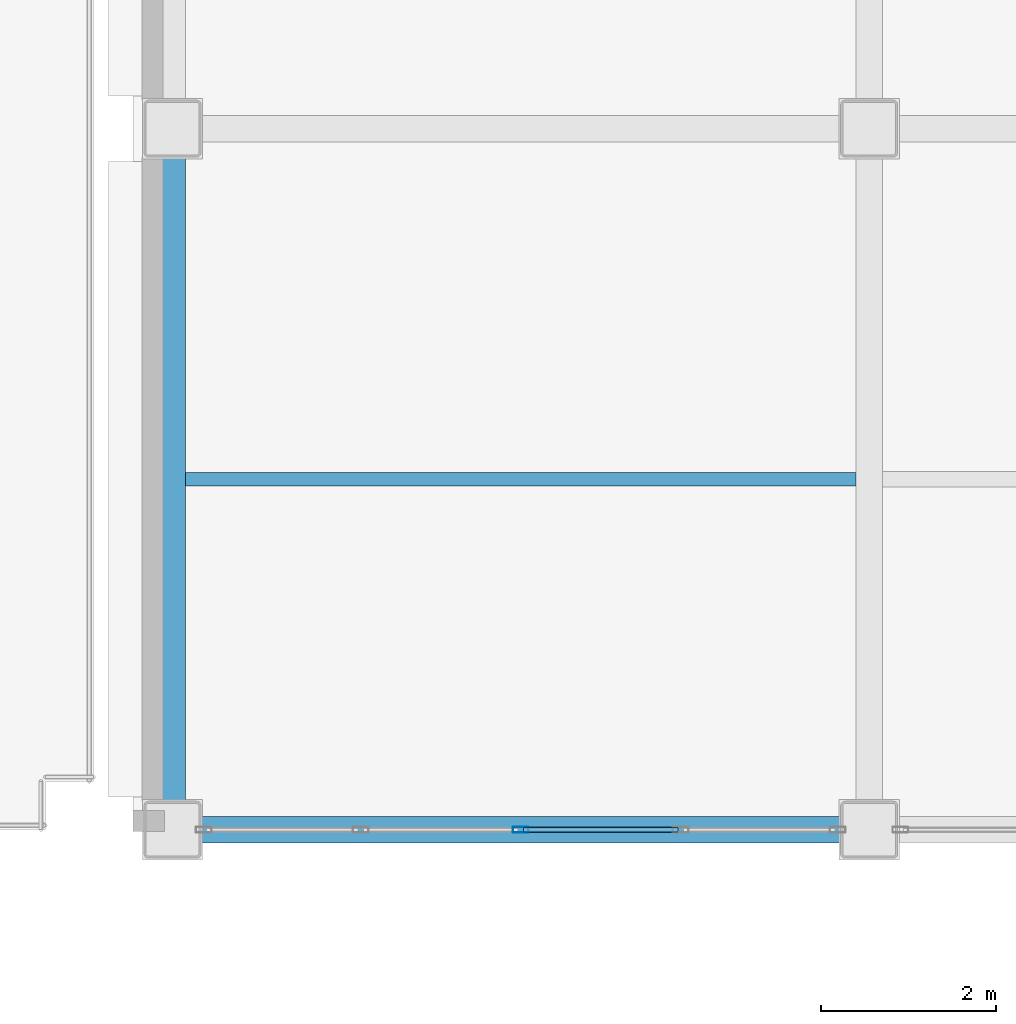
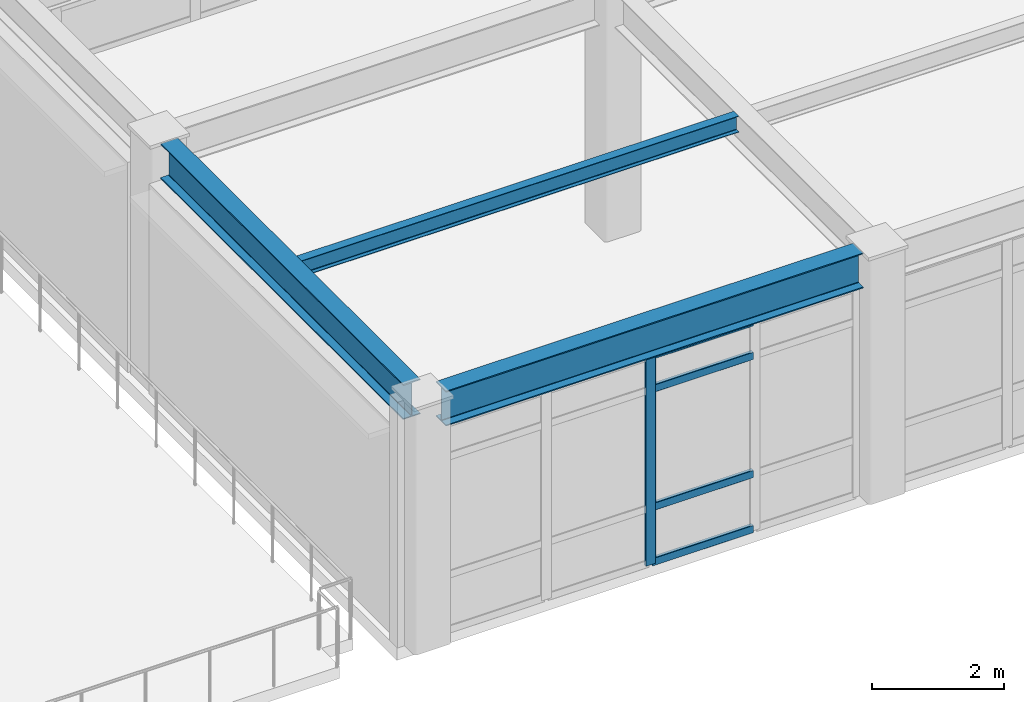
# One storey, part 26 of 93: 5 members, 3 beams, 1 element without a shape of its own.
"""IFC4 building model written with IfcOpenShell, lengths in metres."""

import ifcopenshell
import ifcopenshell.guid

model = None  # the IFC model being written
_history = None  # IfcOwnerHistory: only IFC2X3 demands one
_inside = {}  # id of a spatial element -> (the spatial element, [elements in it])
_under = {}  # id of a project, library or spatial element -> (it, [spatial elements below it])
_declared = {}  # id of a project -> (the project, [libraries it declares])
_typed = {}  # id of a type object -> (the type object, [elements of that type])
_made_of = {}  # id of a material, layer set ... -> (it, [elements and type objects made of it])


def new_model(schema):
    """Start an empty IFC model of exactly this schema.

    Asked for "IFC4X3", IfcOpenShell would pick the latest addendum, in which some entities
    have other attributes; the version numbers below select the first issue.
    IFC2X3 requires an IfcOwnerHistory on every rooted entity: one is made here for all.
    """
    global model, _history
    if schema == "IFC4X3":
        model = ifcopenshell.file(schema_version=(4, 3, 0, 0))
    else:
        model = ifcopenshell.file(schema=schema)
    _inside.clear()
    _under.clear()
    _declared.clear()
    _typed.clear()
    _made_of.clear()
    _history = None
    if model.schema == "IFC2X3":
        org = make("IfcOrganization", Name="unknown")
        user = make(
            "IfcPersonAndOrganization",
            ThePerson=make("IfcPerson", FamilyName="unknown"),
            TheOrganization=org,
        )
        app = make(
            "IfcApplication",
            ApplicationDeveloper=org,
            Version="unknown",
            ApplicationFullName="unknown",
            ApplicationIdentifier="unknown",
        )
        _history = make(
            "IfcOwnerHistory",
            OwningUser=user,
            OwningApplication=app,
            ChangeAction="ADDED",
            CreationDate=0,
        )
    return model


def make(cls, **values):
    """One entity of the class cls with the attributes given. An attribute that is None is left unset."""
    return model.create_entity(
        cls, **{name: value for name, value in values.items() if value is not None}
    )


def rooted(cls, **values):
    """An entity with a GlobalId (a new one), such as an element, a storey or a relation."""
    return make(cls, GlobalId=ifcopenshell.guid.new(), OwnerHistory=_history, **values)


def si_unit(unit_type, name, prefix=None):
    """IfcSIUnit, for example si_unit("LENGTHUNIT", "METRE", prefix="MILLI")."""
    return make("IfcSIUnit", UnitType=unit_type, Prefix=prefix, Name=name)


def assignment(units):
    """IfcUnitAssignment: the units of a project."""
    return None if units is None else make("IfcUnitAssignment", Units=units)


def point(xyz):
    """IfcCartesianPoint."""
    return None if xyz is None else make("IfcCartesianPoint", Coordinates=xyz)


def direction(xyz):
    """IfcDirection."""
    return None if xyz is None else make("IfcDirection", DirectionRatios=xyz)


def frame(location, z_axis=None, x_axis=None):
    """IfcAxis2Placement3D, a coordinate frame: its origin and axes. An axis left out is left unset."""
    return make(
        "IfcAxis2Placement3D",
        Location=point(location),
        Axis=direction(z_axis),
        RefDirection=direction(x_axis),
    )


def frame_2d(location, x_axis=None):
    """IfcAxis2Placement2D, a coordinate frame in the plane: its origin and x axis."""
    return make(
        "IfcAxis2Placement2D", Location=point(location), RefDirection=direction(x_axis)
    )


def origin():
    """The frame at (0, 0, 0) with its axes left unset."""
    return frame((0.0, 0.0, 0.0))


def origin_2d():
    """The frame at (0, 0) in the plane with its x axis left unset."""
    return frame_2d((0.0, 0.0))


def place(relative_to, where):
    """IfcLocalPlacement: puts the frame where relative to a parent placement (None: the world)."""
    return make(
        "IfcLocalPlacement", PlacementRelTo=relative_to, RelativePlacement=where
    )


def context(
    kind, dimensions, precision=None, world=None, true_north=None, identifier=None
):
    """IfcGeometricRepresentationContext, for example the 3D "Model" context."""
    return make(
        "IfcGeometricRepresentationContext",
        ContextIdentifier=identifier,
        ContextType=kind,
        CoordinateSpaceDimension=dimensions,
        Precision=precision,
        WorldCoordinateSystem=world,
        TrueNorth=true_north,
    )


def subcontext(parent, identifier, kind, view, scale=None):
    """IfcGeometricRepresentationSubContext, for example "Body" below "Model"."""
    return make(
        "IfcGeometricRepresentationSubContext",
        ContextIdentifier=identifier,
        ContextType=kind,
        ParentContext=parent,
        TargetScale=scale,
        TargetView=view,
    )


def project(units=None, contexts=None):
    """IfcProject with its units and contexts."""
    return rooted(
        "IfcProject",
        Name="project",
        RepresentationContexts=contexts,
        UnitsInContext=assignment(units),
    )


def spatial(cls, under=None, at=None, **own):
    """A site, building, storey or space (cls), placed at a placement, below another one or the project."""
    s = rooted(cls, ObjectPlacement=at, **own)
    if under is not None:
        _under.setdefault(under.id(), (under, []))[1].append(s)
    return s


def profile(cls, at=None, kind="AREA", **sizes):
    """A parametric profile (cls). Its sizes go by their IFC names, for example OverallWidth=200.0."""
    return make(cls, ProfileType=kind, Position=at, **sizes)


def hollow_rectangle(**sizes):
    """IfcRectangleHollowProfileDef."""
    return profile("IfcRectangleHollowProfileDef", **sizes)


def i_section(**sizes):
    """IfcIShapeProfileDef."""
    return profile("IfcIShapeProfileDef", **sizes)


def extrude(swept, where, along, depth):
    """IfcExtrudedAreaSolid: the profile swept, set in the frame where, extruded along a direction by depth."""
    return make(
        "IfcExtrudedAreaSolid",
        SweptArea=swept,
        Position=where,
        ExtrudedDirection=direction(along),
        Depth=depth,
    )


def shape(context_of_items, identifier, shape_type, items):
    """IfcShapeRepresentation: the items that make up one representation, for example the "Body"."""
    return make(
        "IfcShapeRepresentation",
        ContextOfItems=context_of_items,
        RepresentationIdentifier=identifier,
        RepresentationType=shape_type,
        Items=items,
    )


def material(Name=None, Category=None):
    """IfcMaterial."""
    return make("IfcMaterial", Name=Name, Category=Category)


def layer(
    of_material, thickness, ventilated=None, Name=None, Category=None, Priority=None
):
    """IfcMaterialLayer: one layer of a wall or slab, of a material (None: an air gap)."""
    return make(
        "IfcMaterialLayer",
        Material=of_material,
        LayerThickness=thickness,
        IsVentilated=ventilated,
        Name=Name,
        Category=Category,
        Priority=Priority,
    )


def layer_set(layers, Name=None):
    """IfcMaterialLayerSet."""
    return make("IfcMaterialLayerSet", MaterialLayers=layers, LayerSetName=Name)


def material_profile(
    of_material, cross_section, Name=None, Category=None, Priority=None
):
    """IfcMaterialProfile: a cross section and its material."""
    return make(
        "IfcMaterialProfile",
        Name=Name,
        Material=of_material,
        Profile=cross_section,
        Priority=Priority,
        Category=Category,
    )


def profile_set(profiles, Name=None, composite=None):
    """IfcMaterialProfileSet."""
    return make(
        "IfcMaterialProfileSet",
        Name=Name,
        MaterialProfiles=profiles,
        CompositeProfile=composite,
    )


def made_of(thing, what):
    """Note that an element or type object is made of a material, layer set ...; save() writes the relation."""
    if what is not None:
        _made_of.setdefault(what.id(), (what, []))[1].append(thing)
    return thing


def type_object(cls, material=None, **own):
    """A type object (cls), such as IfcWallType, which elements share."""
    return made_of(rooted(cls, **own), material)


def element(
    cls,
    number,
    at=None,
    inside=None,
    cuts=None,
    type_object=None,
    material=None,
    context=None,
    identifier="Body",
    shape_type=None,
    held_by="IfcProductDefinitionShape",
    body=None,
    shapes=None,
    **own,
):
    """One element of the class cls, such as IfcWall. Its Tag is "e" and its number.

    at: its placement. inside: the storey or other place that contains it. cuts: it is an
    opening in that element (IfcRelVoidsElement). A single representation is given by context,
    identifier, shape_type and body (its items); several are given by shapes. held_by: the class
    of the entity that holds the representations. save() writes the other relations.
    """
    e = rooted(cls, Tag="e%d" % number, ObjectPlacement=at, **own)
    if body is not None:
        shapes = [shape(context, identifier, shape_type, body)]
    if shapes is not None:
        e.Representation = make(held_by, Representations=shapes)
    if inside is not None:
        _inside.setdefault(inside.id(), (inside, []))[1].append(e)
    if cuts is not None:
        rooted(
            "IfcRelVoidsElement", RelatingBuildingElement=cuts, RelatedOpeningElement=e
        )
    if type_object is not None:
        _typed.setdefault(type_object.id(), (type_object, []))[1].append(e)
    return made_of(e, material)


def aggregate(whole, parts):
    """IfcRelAggregates: a whole, such as a stair, and the parts it consists of."""
    return rooted("IfcRelAggregates", RelatingObject=whole, RelatedObjects=parts)


def save(model, path):
    """Write the relations noted so far, then the file.

    IfcRelAggregates (storeys below a building ...), IfcRelContainedInSpatialStructure (elements
    in a storey), IfcRelDefinesByType, IfcRelAssociatesMaterial and IfcRelDeclares: one each for
    every whole, place, type object, material and project.
    """
    for whole, parts in _under.values():
        aggregate(whole, parts)
    for where, things in _inside.values():
        rooted(
            "IfcRelContainedInSpatialStructure",
            RelatedElements=things,
            RelatingStructure=where,
        )
    for kind, things in _typed.values():
        rooted("IfcRelDefinesByType", RelatedObjects=things, RelatingType=kind)
    for what, things in _made_of.values():
        rooted("IfcRelAssociatesMaterial", RelatedObjects=things, RelatingMaterial=what)
    for by, libraries in _declared.values():
        rooted("IfcRelDeclares", RelatingContext=by, RelatedDefinitions=libraries)
    model.write(path)


model = new_model("IFC4")

# Units and contexts
model_context = context("Model", 3, precision=1e-05, world=origin(), true_north=direction((0.0, 1.0)))
body_context = subcontext(model_context, "Body", "Model", "MODEL_VIEW")
ifc_project = project(units=[si_unit("LENGTHUNIT", "METRE"), si_unit("AREAUNIT", "SQUARE_METRE"), si_unit("VOLUMEUNIT", "CUBIC_METRE"), si_unit("PLANEANGLEUNIT", "RADIAN"), si_unit("MASSUNIT", "GRAM", prefix="KILO")], contexts=[model_context])

# Site, building, storey
site_placement = place(None, origin())
site = spatial("IfcSite", under=ifc_project, at=site_placement, CompositionType="ELEMENT")
building_placement = place(site_placement, origin())
building = spatial("IfcBuilding", under=site, at=building_placement, Name="Kazehara Bluff Congress Hotel", CompositionType="ELEMENT")
storey_placement = place(building_placement, frame((0.0, 0.0, 15.0)))
storey = spatial("IfcBuildingStorey", under=building, at=storey_placement, Name="L03", CompositionType="ELEMENT", Elevation=15.0)

# Curtain wall, members
ifc_material_1 = material(Name="Anodised aluminium", Category="aluminium")
ifc_layer = layer(ifc_material_1, 0.159912109375)
ifc_layer_set = layer_set([ifc_layer], Name="Anodised aluminium")
curtain_wall_type = type_object("IfcCurtainWallType", Name="TP-CW-80", PredefinedType="NOTDEFINED", material=ifc_layer_set)
curtain_wall_placement = place(storey_placement, origin())
curtain_wall = element("IfcCurtainWall", 1, at=curtain_wall_placement, inside=storey, type_object=curtain_wall_type, Name="L03 curtain wall CW-80 CW-V5-L03-Y1600-11088", PredefinedType="NOTDEFINED")
ifc_material_2 = material(Name="Anodised aluminium", Category="aluminium")
ifc_material_profile_1 = material_profile(ifc_material_2, hollow_rectangle(XDim=0.06494140625, YDim=0.179931640625, WallThickness=0.00390625, InnerFilletRadius=0.00390625, OuterFilletRadius=0.008056640625, at=origin_2d()))
ifc_profile_set_1 = profile_set([ifc_material_profile_1], Name="Anodised aluminium")
member_type_1 = type_object("IfcMemberType", Name="TP-CWM-02", PredefinedType="MULLION", material=ifc_profile_set_1)
member_1_placement = place(storey_placement, frame((114.52490234375, 16.0, 0.0), z_axis=(0.0, 0.0, 1.0), x_axis=(0.0, 1.0, 0.0)))
member_1 = element("IfcMember", 2, at=member_1_placement, type_object=member_type_1, Name="CW-80 mullion 3", PredefinedType="MULLION", context=body_context, shape_type="SweptSolid", body=[
    extrude(hollow_rectangle(XDim=0.06494140625, YDim=0.179931640625, WallThickness=0.00390625, InnerFilletRadius=0.00390625, OuterFilletRadius=0.008056640625, at=origin_2d()), origin(), (0.0, 0.0, 1.0), 3.885009765625),
])
ifc_material_3 = material(Name="Anodised aluminium", Category="aluminium")
ifc_material_profile_2 = material_profile(ifc_material_3, hollow_rectangle(XDim=0.06494140625, YDim=0.139892578125, WallThickness=0.00390625, InnerFilletRadius=0.00390625, OuterFilletRadius=0.008056640625, at=origin_2d()))
ifc_profile_set_2 = profile_set([ifc_material_profile_2], Name="Anodised aluminium")
member_type_2 = type_object("IfcMemberType", Name="TP-CWT-02", PredefinedType="USERDEFINED", material=ifc_profile_set_2)
member_2_placement = place(storey_placement, frame((114.5576171875, 16.0, 0.032470703125), z_axis=(1.0, 0.0, 0.0), x_axis=(0.0, 1.0, 0.0)))
member_2 = element("IfcMember", 3, at=member_2_placement, type_object=member_type_2, Name="CW-80 transom 3.1", ObjectType="TRANSOM", PredefinedType="USERDEFINED", context=body_context, shape_type="SweptSolid", body=[
    extrude(hollow_rectangle(XDim=0.06494140625, YDim=0.139892578125, WallThickness=0.00390625, InnerFilletRadius=0.00390625, OuterFilletRadius=0.008056640625, at=origin_2d()), origin(), (0.0, 0.0, 1.0), 1.759765625),
])
member_3_placement = place(storey_placement, frame((114.5576171875, 16.0, 1.050048828125), z_axis=(1.0, 0.0, 0.0), x_axis=(0.0, 1.0, 0.0)))
member_3 = element("IfcMember", 4, at=member_3_placement, type_object=member_type_2, Name="CW-80 transom 3.2", ObjectType="TRANSOM", PredefinedType="USERDEFINED", context=body_context, shape_type="SweptSolid", body=[
    extrude(hollow_rectangle(XDim=0.06494140625, YDim=0.139892578125, WallThickness=0.00390625, InnerFilletRadius=0.00390625, OuterFilletRadius=0.008056640625, at=origin_2d()), origin(), (0.0, 0.0, 1.0), 1.759765625),
])
member_4_placement = place(storey_placement, frame((114.5576171875, 16.0, 3.235107421875), z_axis=(1.0, 0.0, 0.0), x_axis=(0.0, 1.0, 0.0)))
member_4 = element("IfcMember", 5, at=member_4_placement, type_object=member_type_2, Name="CW-80 transom 3.3", ObjectType="TRANSOM", PredefinedType="USERDEFINED", context=body_context, shape_type="SweptSolid", body=[
    extrude(hollow_rectangle(XDim=0.06494140625, YDim=0.139892578125, WallThickness=0.00390625, InnerFilletRadius=0.00390625, OuterFilletRadius=0.008056640625, at=origin_2d()), origin(), (0.0, 0.0, 1.0), 1.759765625),
])
member_5_placement = place(storey_placement, frame((114.5576171875, 16.0, 3.8525390625), z_axis=(1.0, 0.0, 0.0), x_axis=(0.0, 1.0, 0.0)))
member_5 = element("IfcMember", 6, at=member_5_placement, type_object=member_type_2, Name="CW-80 transom 3.4", ObjectType="TRANSOM", PredefinedType="USERDEFINED", context=body_context, shape_type="SweptSolid", body=[
    extrude(hollow_rectangle(XDim=0.06494140625, YDim=0.139892578125, WallThickness=0.00390625, InnerFilletRadius=0.00390625, OuterFilletRadius=0.008056640625, at=origin_2d()), origin(), (0.0, 0.0, 1.0), 1.759765625),
])
aggregate(curtain_wall, [member_1, member_2, member_3, member_4, member_5])

# Beams
ifc_material_4 = material(Name="Steel SN490B", Category="steel")
ifc_material_profile_3 = material_profile(ifc_material_4, i_section(OverallWidth=0.300048828125, OverallDepth=0.64990234375, WebThickness=0.011962890625, FlangeThickness=0.02001953125, FilletRadius=0.012939453125, at=origin_2d()))
ifc_profile_set_3 = profile_set([ifc_material_profile_3], Name="Steel SN490B")
beam_type_1 = type_object("IfcBeamType", Name="TP-G-03", PredefinedType="BEAM", material=ifc_profile_set_3)
beam_1_placement = place(storey_placement, frame((110.550048828125, 16.324951171875, 4.235107421875), z_axis=(0.0, 1.0, 0.0), x_axis=(-1.0, 0.0, 0.0)))
element("IfcBeam", 7, at=beam_1_placement, inside=storey, type_object=beam_type_1, Name="L03 girder G-03 101", PredefinedType="BEAM", context=body_context, shape_type="SweptSolid", body=[
    extrude(i_section(OverallWidth=0.300048828125, OverallDepth=0.64990234375, WebThickness=0.011962890625, FlangeThickness=0.02001953125, FilletRadius=0.012939453125, at=origin_2d()), origin(), (0.0, 0.0, 1.0), 7.35009765625),
])
beam_2_placement = place(storey_placement, frame((110.875, 16.0, 4.235107421875), z_axis=(1.0, 0.0, 0.0), x_axis=(0.0, 1.0, 0.0)))
element("IfcBeam", 8, at=beam_2_placement, inside=storey, type_object=beam_type_1, Name="L03 girder G-03 157", PredefinedType="BEAM", context=body_context, shape_type="SweptSolid", body=[
    extrude(i_section(OverallWidth=0.300048828125, OverallDepth=0.64990234375, WebThickness=0.011962890625, FlangeThickness=0.02001953125, FilletRadius=0.012939453125, at=origin_2d()), origin(), (0.0, 0.0, 1.0), 7.300048828125),
])
ifc_material_5 = material(Name="Steel SN400B", Category="steel")
ifc_material_profile_4 = material_profile(ifc_material_5, i_section(OverallWidth=0.14990234375, OverallDepth=0.300048828125, WebThickness=0.006591796875, FlangeThickness=0.009033203125, FilletRadius=0.012939453125, at=origin_2d()))
ifc_profile_set_4 = profile_set([ifc_material_profile_4], Name="Steel SN400B")
beam_type_2 = type_object("IfcBeamType", Name="TP-J-01", PredefinedType="JOIST", material=ifc_profile_set_4)
beam_3_placement = place(storey_placement, frame((110.699951171875, 20.0, 4.409912109375), z_axis=(1.0, 0.0, 0.0), x_axis=(0.0, 1.0, 0.0)))
element("IfcBeam", 9, at=beam_3_placement, inside=storey, type_object=beam_type_2, Name="L03 secondary joist J-01 22", PredefinedType="JOIST", context=body_context, shape_type="SweptSolid", body=[
    extrude(i_section(OverallWidth=0.14990234375, OverallDepth=0.300048828125, WebThickness=0.006591796875, FlangeThickness=0.009033203125, FilletRadius=0.012939453125, at=origin_2d()), origin(), (0.0, 0.0, 1.0), 7.650146484375),
])

save(model, "model.ifc")
